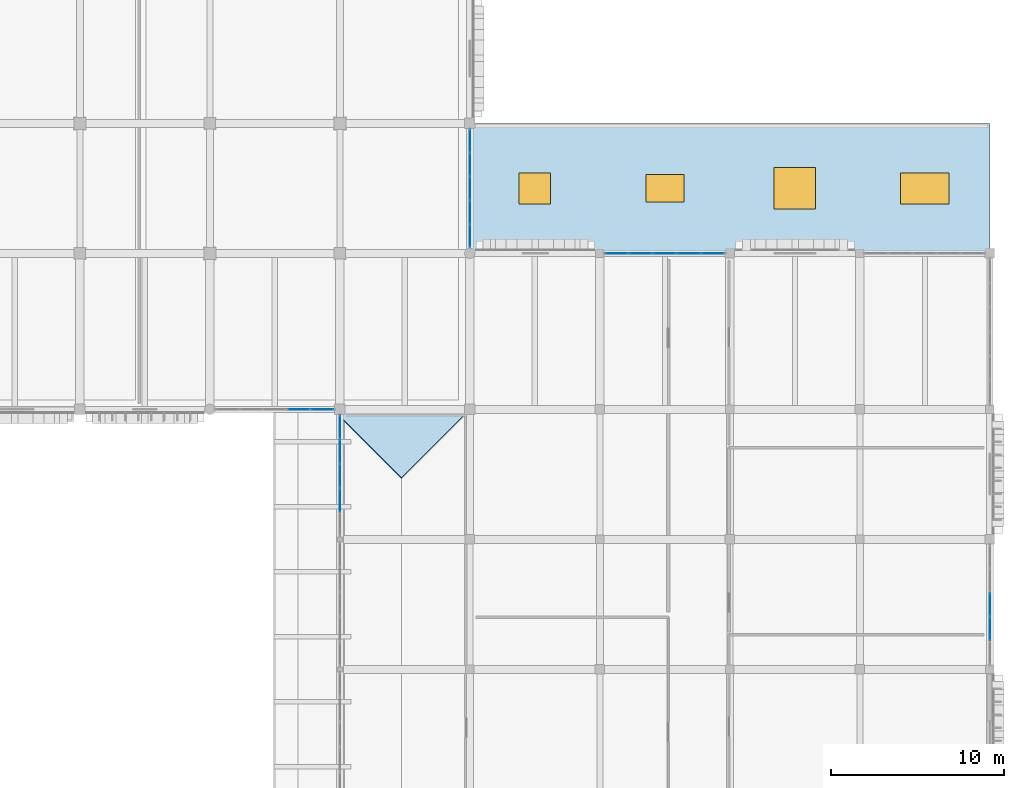
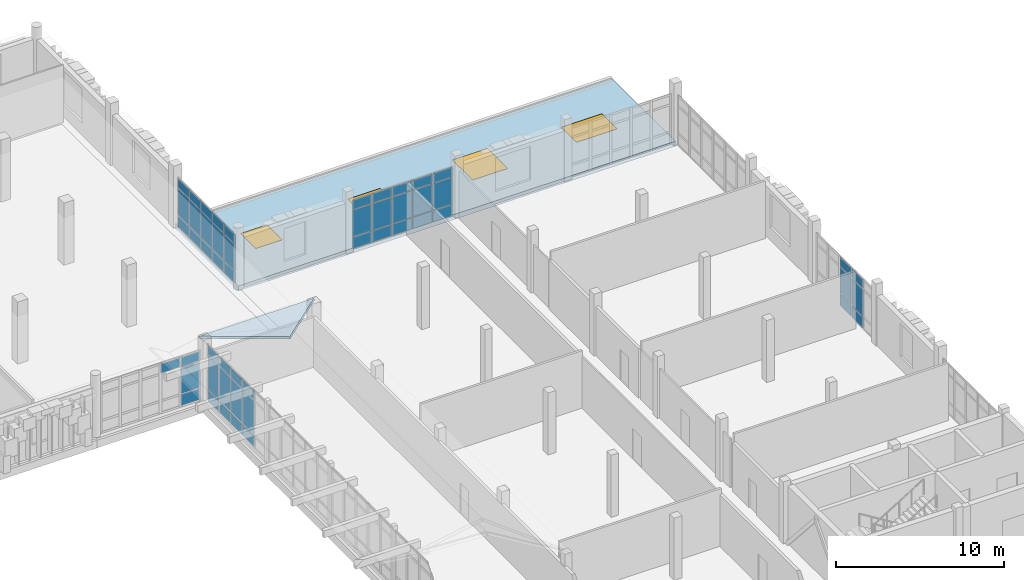
# One storey, part 90 of 128: 52 plates, 4 windows, 2 slabs, 4 openings, 6 elements without a shape of their own.
"""IFC4 building model written with IfcOpenShell, lengths in metres."""

import ifcopenshell
import ifcopenshell.guid

model = None  # the IFC model being written
_history = None  # IfcOwnerHistory: only IFC2X3 demands one
_inside = {}  # id of a spatial element -> (the spatial element, [elements in it])
_under = {}  # id of a project, library or spatial element -> (it, [spatial elements below it])
_declared = {}  # id of a project -> (the project, [libraries it declares])
_typed = {}  # id of a type object -> (the type object, [elements of that type])
_made_of = {}  # id of a material, layer set ... -> (it, [elements and type objects made of it])


def new_model(schema):
    """Start an empty IFC model of exactly this schema.

    Asked for "IFC4X3", IfcOpenShell would pick the latest addendum, in which some entities
    have other attributes; the version numbers below select the first issue.
    IFC2X3 requires an IfcOwnerHistory on every rooted entity: one is made here for all.
    """
    global model, _history
    if schema == "IFC4X3":
        model = ifcopenshell.file(schema_version=(4, 3, 0, 0))
    else:
        model = ifcopenshell.file(schema=schema)
    _inside.clear()
    _under.clear()
    _declared.clear()
    _typed.clear()
    _made_of.clear()
    _history = None
    if model.schema == "IFC2X3":
        org = make("IfcOrganization", Name="unknown")
        user = make(
            "IfcPersonAndOrganization",
            ThePerson=make("IfcPerson", FamilyName="unknown"),
            TheOrganization=org,
        )
        app = make(
            "IfcApplication",
            ApplicationDeveloper=org,
            Version="unknown",
            ApplicationFullName="unknown",
            ApplicationIdentifier="unknown",
        )
        _history = make(
            "IfcOwnerHistory",
            OwningUser=user,
            OwningApplication=app,
            ChangeAction="ADDED",
            CreationDate=0,
        )
    return model


def make(cls, **values):
    """One entity of the class cls with the attributes given. An attribute that is None is left unset."""
    return model.create_entity(
        cls, **{name: value for name, value in values.items() if value is not None}
    )


def rooted(cls, **values):
    """An entity with a GlobalId (a new one), such as an element, a storey or a relation."""
    return make(cls, GlobalId=ifcopenshell.guid.new(), OwnerHistory=_history, **values)


def si_unit(unit_type, name, prefix=None):
    """IfcSIUnit, for example si_unit("LENGTHUNIT", "METRE", prefix="MILLI")."""
    return make("IfcSIUnit", UnitType=unit_type, Prefix=prefix, Name=name)


def assignment(units):
    """IfcUnitAssignment: the units of a project."""
    return None if units is None else make("IfcUnitAssignment", Units=units)


def point(xyz):
    """IfcCartesianPoint."""
    return None if xyz is None else make("IfcCartesianPoint", Coordinates=xyz)


def direction(xyz):
    """IfcDirection."""
    return None if xyz is None else make("IfcDirection", DirectionRatios=xyz)


def frame(location, z_axis=None, x_axis=None):
    """IfcAxis2Placement3D, a coordinate frame: its origin and axes. An axis left out is left unset."""
    return make(
        "IfcAxis2Placement3D",
        Location=point(location),
        Axis=direction(z_axis),
        RefDirection=direction(x_axis),
    )


def frame_2d(location, x_axis=None):
    """IfcAxis2Placement2D, a coordinate frame in the plane: its origin and x axis."""
    return make(
        "IfcAxis2Placement2D", Location=point(location), RefDirection=direction(x_axis)
    )


def origin():
    """The frame at (0, 0, 0) with its axes left unset."""
    return frame((0.0, 0.0, 0.0))


def origin_2d():
    """The frame at (0, 0) in the plane with its x axis left unset."""
    return frame_2d((0.0, 0.0))


def place(relative_to, where):
    """IfcLocalPlacement: puts the frame where relative to a parent placement (None: the world)."""
    return make(
        "IfcLocalPlacement", PlacementRelTo=relative_to, RelativePlacement=where
    )


def context(
    kind, dimensions, precision=None, world=None, true_north=None, identifier=None
):
    """IfcGeometricRepresentationContext, for example the 3D "Model" context."""
    return make(
        "IfcGeometricRepresentationContext",
        ContextIdentifier=identifier,
        ContextType=kind,
        CoordinateSpaceDimension=dimensions,
        Precision=precision,
        WorldCoordinateSystem=world,
        TrueNorth=true_north,
    )


def subcontext(parent, identifier, kind, view, scale=None):
    """IfcGeometricRepresentationSubContext, for example "Body" below "Model"."""
    return make(
        "IfcGeometricRepresentationSubContext",
        ContextIdentifier=identifier,
        ContextType=kind,
        ParentContext=parent,
        TargetScale=scale,
        TargetView=view,
    )


def project(units=None, contexts=None):
    """IfcProject with its units and contexts."""
    return rooted(
        "IfcProject",
        Name="project",
        RepresentationContexts=contexts,
        UnitsInContext=assignment(units),
    )


def spatial(cls, under=None, at=None, **own):
    """A site, building, storey or space (cls), placed at a placement, below another one or the project."""
    s = rooted(cls, ObjectPlacement=at, **own)
    if under is not None:
        _under.setdefault(under.id(), (under, []))[1].append(s)
    return s


def polyline(points):
    """IfcPolyline through the points."""
    return make("IfcPolyline", Points=[point(p) for p in points])


def profile(cls, at=None, kind="AREA", **sizes):
    """A parametric profile (cls). Its sizes go by their IFC names, for example OverallWidth=200.0."""
    return make(cls, ProfileType=kind, Position=at, **sizes)


def rectangle(**sizes):
    """IfcRectangleProfileDef."""
    return profile("IfcRectangleProfileDef", **sizes)


def outline(outer, holes=None, kind="AREA"):
    """IfcArbitraryClosedProfileDef: a profile drawn as a closed curve; with holes, ...WithVoids."""
    if holes is None:
        return make("IfcArbitraryClosedProfileDef", ProfileType=kind, OuterCurve=outer)
    return make(
        "IfcArbitraryProfileDefWithVoids",
        ProfileType=kind,
        OuterCurve=outer,
        InnerCurves=holes,
    )


def extrude(swept, where, along, depth):
    """IfcExtrudedAreaSolid: the profile swept, set in the frame where, extruded along a direction by depth."""
    return make(
        "IfcExtrudedAreaSolid",
        SweptArea=swept,
        Position=where,
        ExtrudedDirection=direction(along),
        Depth=depth,
    )


def shape(context_of_items, identifier, shape_type, items):
    """IfcShapeRepresentation: the items that make up one representation, for example the "Body"."""
    return make(
        "IfcShapeRepresentation",
        ContextOfItems=context_of_items,
        RepresentationIdentifier=identifier,
        RepresentationType=shape_type,
        Items=items,
    )


def material(Name=None, Category=None):
    """IfcMaterial."""
    return make("IfcMaterial", Name=Name, Category=Category)


def layer(
    of_material, thickness, ventilated=None, Name=None, Category=None, Priority=None
):
    """IfcMaterialLayer: one layer of a wall or slab, of a material (None: an air gap)."""
    return make(
        "IfcMaterialLayer",
        Material=of_material,
        LayerThickness=thickness,
        IsVentilated=ventilated,
        Name=Name,
        Category=Category,
        Priority=Priority,
    )


def layer_set(layers, Name=None):
    """IfcMaterialLayerSet."""
    return make("IfcMaterialLayerSet", MaterialLayers=layers, LayerSetName=Name)


def made_of(thing, what):
    """Note that an element or type object is made of a material, layer set ...; save() writes the relation."""
    if what is not None:
        _made_of.setdefault(what.id(), (what, []))[1].append(thing)
    return thing


def type_object(cls, material=None, **own):
    """A type object (cls), such as IfcWallType, which elements share."""
    return made_of(rooted(cls, **own), material)


def element(
    cls,
    number,
    at=None,
    inside=None,
    cuts=None,
    type_object=None,
    material=None,
    context=None,
    identifier="Body",
    shape_type=None,
    held_by="IfcProductDefinitionShape",
    body=None,
    shapes=None,
    **own,
):
    """One element of the class cls, such as IfcWall. Its Tag is "e" and its number.

    at: its placement. inside: the storey or other place that contains it. cuts: it is an
    opening in that element (IfcRelVoidsElement). A single representation is given by context,
    identifier, shape_type and body (its items); several are given by shapes. held_by: the class
    of the entity that holds the representations. save() writes the other relations.
    """
    e = rooted(cls, Tag="e%d" % number, ObjectPlacement=at, **own)
    if body is not None:
        shapes = [shape(context, identifier, shape_type, body)]
    if shapes is not None:
        e.Representation = make(held_by, Representations=shapes)
    if inside is not None:
        _inside.setdefault(inside.id(), (inside, []))[1].append(e)
    if cuts is not None:
        rooted(
            "IfcRelVoidsElement", RelatingBuildingElement=cuts, RelatedOpeningElement=e
        )
    if type_object is not None:
        _typed.setdefault(type_object.id(), (type_object, []))[1].append(e)
    return made_of(e, material)


def fill(opening, filler):
    """IfcRelFillsElement: the door or window that sits in an opening."""
    return rooted(
        "IfcRelFillsElement",
        RelatingOpeningElement=opening,
        RelatedBuildingElement=filler,
    )


def aggregate(whole, parts):
    """IfcRelAggregates: a whole, such as a stair, and the parts it consists of."""
    return rooted("IfcRelAggregates", RelatingObject=whole, RelatedObjects=parts)


def save(model, path):
    """Write the relations noted so far, then the file.

    IfcRelAggregates (storeys below a building ...), IfcRelContainedInSpatialStructure (elements
    in a storey), IfcRelDefinesByType, IfcRelAssociatesMaterial and IfcRelDeclares: one each for
    every whole, place, type object, material and project.
    """
    for whole, parts in _under.values():
        aggregate(whole, parts)
    for where, things in _inside.values():
        rooted(
            "IfcRelContainedInSpatialStructure",
            RelatedElements=things,
            RelatingStructure=where,
        )
    for kind, things in _typed.values():
        rooted("IfcRelDefinesByType", RelatedObjects=things, RelatingType=kind)
    for what, things in _made_of.values():
        rooted("IfcRelAssociatesMaterial", RelatedObjects=things, RelatingMaterial=what)
    for by, libraries in _declared.values():
        rooted("IfcRelDeclares", RelatingContext=by, RelatedDefinitions=libraries)
    model.write(path)


model = new_model("IFC4")

# Units and contexts
model_context = context("Model", 3, precision=1e-05, world=origin(), true_north=direction((0.0, 1.0)))
body_context = subcontext(model_context, "Body", "Model", "MODEL_VIEW")
ifc_project = project(units=[si_unit("LENGTHUNIT", "METRE"), si_unit("AREAUNIT", "SQUARE_METRE"), si_unit("VOLUMEUNIT", "CUBIC_METRE"), si_unit("PLANEANGLEUNIT", "RADIAN"), si_unit("MASSUNIT", "GRAM", prefix="KILO")], contexts=[model_context])

# Site, building, storey
site_placement = place(None, origin())
site = spatial("IfcSite", under=ifc_project, at=site_placement, CompositionType="ELEMENT")
building_placement = place(site_placement, origin())
building = spatial("IfcBuilding", under=site, at=building_placement, Name="Dalvernix Boulevard General Hospital", CompositionType="ELEMENT")
storey_placement = place(building_placement, frame((0.0, 0.0, 4.800048828125)))
storey = spatial("IfcBuildingStorey", under=building, at=storey_placement, Name="L01", CompositionType="ELEMENT", Elevation=4.800048828125)

# Curtain wall, plates
ifc_material_1 = material(Name="Thermally broken aluminium and solar-control glass curtain wall", Category="aluminium")
ifc_layer_1 = layer(ifc_material_1, 0.179931640625)
ifc_layer_set_1 = layer_set([ifc_layer_1], Name="Thermally broken aluminium and solar-control glass curtain wall (CW-CW-B-69x36)")
curtain_wall_type_1 = type_object("IfcCurtainWallType", Name="CW-CW-B-69x36", PredefinedType="USERDEFINED", material=ifc_layer_set_1)
curtain_wall_1_placement = place(storey_placement, origin())
curtain_wall_1 = element("IfcCurtainWall", 1, at=curtain_wall_1_placement, inside=storey, type_object=curtain_wall_type_1, Name="L01 curtain wall CW-B-69x36 17-10", ObjectType="GLAZED FACADE", PredefinedType="USERDEFINED")
ifc_material_2 = material(Name="Double-glazed solar-control low-emissivity glass", Category="glass")
ifc_layer_2 = layer(ifc_material_2, 0.028076171875)
ifc_layer_set_2 = layer_set([ifc_layer_2], Name="Double-glazed solar-control low-emissivity glass (PLT-CW-P2)")
plate_type_1 = type_object("IfcPlateType", Name="PLT-CW-P2", PredefinedType="CURTAIN_PANEL", material=ifc_layer_set_2)
plate_1_placement = place(storey_placement, frame((133.98583984375, 76.5, 0.06494140625), z_axis=(0.0, 0.0, 1.0), x_axis=(-1.0, 0.0, 0.0)))
plate_1 = element("IfcPlate", 2, at=plate_1_placement, type_object=plate_type_1, Name="CW-B-69x36 panel 1.1", PredefinedType="CURTAIN_PANEL", context=body_context, shape_type="SweptSolid", body=[
    extrude(rectangle(XDim=1.278564453125, YDim=0.028076171875, at=origin_2d()), origin(), (0.0, 0.0, 1.0), 0.802490234375),
])
plate_2_placement = place(storey_placement, frame((133.98583984375, 76.5, 0.932373046875), z_axis=(0.0, 0.0, 1.0), x_axis=(-1.0, 0.0, 0.0)))
plate_2 = element("IfcPlate", 3, at=plate_2_placement, type_object=plate_type_1, Name="CW-B-69x36 panel 1.2", PredefinedType="CURTAIN_PANEL", context=body_context, shape_type="SweptSolid", body=[
    extrude(rectangle(XDim=1.278564453125, YDim=0.028076171875, at=origin_2d()), origin(), (0.0, 0.0, 1.0), 1.9150390625),
])
plate_3_placement = place(storey_placement, frame((133.98583984375, 76.5, 2.91259765625), z_axis=(0.0, 0.0, 1.0), x_axis=(-1.0, 0.0, 0.0)))
plate_3 = element("IfcPlate", 4, at=plate_3_placement, type_object=plate_type_1, Name="CW-B-69x36 panel 1.3", PredefinedType="CURTAIN_PANEL", context=body_context, shape_type="SweptSolid", body=[
    extrude(rectangle(XDim=1.278564453125, YDim=0.028076171875, at=origin_2d()), origin(), (0.0, 0.0, 1.0), 0.652587890625),
])
plate_4_placement = place(storey_placement, frame((132.6259765625, 76.5, 2.91259765625), z_axis=(0.0, 0.0, 1.0), x_axis=(-1.0, 0.0, 0.0)))
plate_4 = element("IfcPlate", 5, at=plate_4_placement, type_object=plate_type_1, Name="CW-B-69x36 panel 2.3", PredefinedType="CURTAIN_PANEL", context=body_context, shape_type="SweptSolid", body=[
    extrude(rectangle(XDim=1.31103515625, YDim=0.028076171875, at=origin_2d()), origin(), (0.0, 0.0, 1.0), 0.652587890625),
])
aggregate(curtain_wall_1, [plate_1, plate_2, plate_3, plate_4])

ifc_layer_3 = layer(ifc_material_1, 0.179931640625)
ifc_layer_set_3 = layer_set([ifc_layer_3], Name="Thermally broken aluminium and solar-control glass curtain wall (CW-CW-B-70x42)")
curtain_wall_type_2 = type_object("IfcCurtainWallType", Name="CW-CW-B-70x42", PredefinedType="USERDEFINED", material=ifc_layer_set_3)
curtain_wall_2_placement = place(storey_placement, origin())
curtain_wall_2 = element("IfcCurtainWall", 6, at=curtain_wall_2_placement, inside=storey, type_object=curtain_wall_type_2, Name="L01 curtain wall CW-B-70x42 18-9", ObjectType="GLAZED FACADE", PredefinedType="USERDEFINED")
plate_5_placement = place(storey_placement, frame((135.0, 71.261962890625, 0.06494140625), z_axis=(0.0, 0.0, 1.0), x_axis=(0.0, 1.0, 0.0)))
plate_5 = element("IfcPlate", 7, at=plate_5_placement, type_object=plate_type_1, Name="CW-B-70x42 panel 2.1", PredefinedType="CURTAIN_PANEL", context=body_context, shape_type="SweptSolid", body=[
    extrude(rectangle(XDim=1.343017578125, YDim=0.028076171875, at=origin_2d()), origin(), (0.0, 0.0, 1.0), 0.802490234375),
])
plate_6_placement = place(storey_placement, frame((135.0, 71.261962890625, 0.9326171875), z_axis=(0.0, 0.0, 1.0), x_axis=(0.0, 1.0, 0.0)))
plate_6 = element("IfcPlate", 8, at=plate_6_placement, type_object=plate_type_1, Name="CW-B-70x42 panel 2.2", PredefinedType="CURTAIN_PANEL", context=body_context, shape_type="SweptSolid", body=[
    extrude(rectangle(XDim=1.343017578125, YDim=0.028076171875, at=origin_2d()), origin(), (0.0, 0.0, 1.0), 2.465087890625),
])
plate_7_placement = place(storey_placement, frame((135.0, 71.261962890625, 3.46240234375), z_axis=(0.0, 0.0, 1.0), x_axis=(0.0, 1.0, 0.0)))
plate_7 = element("IfcPlate", 9, at=plate_7_placement, type_object=plate_type_1, Name="CW-B-70x42 panel 2.3", PredefinedType="CURTAIN_PANEL", context=body_context, shape_type="SweptSolid", body=[
    extrude(rectangle(XDim=1.343017578125, YDim=0.028076171875, at=origin_2d()), origin(), (0.0, 0.0, 1.0), 0.652587890625),
])
plate_8_placement = place(storey_placement, frame((135.0, 72.669921875, 0.06494140625), z_axis=(0.0, 0.0, 1.0), x_axis=(0.0, 1.0, 0.0)))
plate_8 = element("IfcPlate", 10, at=plate_8_placement, type_object=plate_type_1, Name="CW-B-70x42 panel 3.1", PredefinedType="CURTAIN_PANEL", context=body_context, shape_type="SweptSolid", body=[
    extrude(rectangle(XDim=1.343017578125, YDim=0.028076171875, at=origin_2d()), origin(), (0.0, 0.0, 1.0), 0.802490234375),
])
plate_9_placement = place(storey_placement, frame((135.0, 72.669921875, 0.9326171875), z_axis=(0.0, 0.0, 1.0), x_axis=(0.0, 1.0, 0.0)))
plate_9 = element("IfcPlate", 11, at=plate_9_placement, type_object=plate_type_1, Name="CW-B-70x42 panel 3.2", PredefinedType="CURTAIN_PANEL", context=body_context, shape_type="SweptSolid", body=[
    extrude(rectangle(XDim=1.343017578125, YDim=0.028076171875, at=origin_2d()), origin(), (0.0, 0.0, 1.0), 2.465087890625),
])
plate_10_placement = place(storey_placement, frame((135.0, 72.669921875, 3.46240234375), z_axis=(0.0, 0.0, 1.0), x_axis=(0.0, 1.0, 0.0)))
plate_10 = element("IfcPlate", 12, at=plate_10_placement, type_object=plate_type_1, Name="CW-B-70x42 panel 3.3", PredefinedType="CURTAIN_PANEL", context=body_context, shape_type="SweptSolid", body=[
    extrude(rectangle(XDim=1.343017578125, YDim=0.028076171875, at=origin_2d()), origin(), (0.0, 0.0, 1.0), 0.652587890625),
])
plate_11_placement = place(storey_placement, frame((135.0, 74.077880859375, 0.06494140625), z_axis=(0.0, 0.0, 1.0), x_axis=(0.0, 1.0, 0.0)))
plate_11 = element("IfcPlate", 13, at=plate_11_placement, type_object=plate_type_1, Name="CW-B-70x42 panel 4.1", PredefinedType="CURTAIN_PANEL", context=body_context, shape_type="SweptSolid", body=[
    extrude(rectangle(XDim=1.343017578125, YDim=0.028076171875, at=origin_2d()), origin(), (0.0, 0.0, 1.0), 0.802490234375),
])
plate_12_placement = place(storey_placement, frame((135.0, 74.077880859375, 0.9326171875), z_axis=(0.0, 0.0, 1.0), x_axis=(0.0, 1.0, 0.0)))
plate_12 = element("IfcPlate", 14, at=plate_12_placement, type_object=plate_type_1, Name="CW-B-70x42 panel 4.2", PredefinedType="CURTAIN_PANEL", context=body_context, shape_type="SweptSolid", body=[
    extrude(rectangle(XDim=1.343017578125, YDim=0.028076171875, at=origin_2d()), origin(), (0.0, 0.0, 1.0), 2.465087890625),
])
plate_13_placement = place(storey_placement, frame((135.0, 74.077880859375, 3.46240234375), z_axis=(0.0, 0.0, 1.0), x_axis=(0.0, 1.0, 0.0)))
plate_13 = element("IfcPlate", 15, at=plate_13_placement, type_object=plate_type_1, Name="CW-B-70x42 panel 4.3", PredefinedType="CURTAIN_PANEL", context=body_context, shape_type="SweptSolid", body=[
    extrude(rectangle(XDim=1.343017578125, YDim=0.028076171875, at=origin_2d()), origin(), (0.0, 0.0, 1.0), 0.652587890625),
])
plate_14_placement = place(storey_placement, frame((135.0, 75.4697265625, 0.06494140625), z_axis=(0.0, 0.0, 1.0), x_axis=(0.0, 1.0, 0.0)))
plate_14 = element("IfcPlate", 16, at=plate_14_placement, type_object=plate_type_1, Name="CW-B-70x42 panel 5.1", PredefinedType="CURTAIN_PANEL", context=body_context, shape_type="SweptSolid", body=[
    extrude(rectangle(XDim=1.310546875, YDim=0.028076171875, at=origin_2d()), origin(), (0.0, 0.0, 1.0), 0.802490234375),
])
plate_15_placement = place(storey_placement, frame((135.0, 75.4697265625, 0.9326171875), z_axis=(0.0, 0.0, 1.0), x_axis=(0.0, 1.0, 0.0)))
plate_15 = element("IfcPlate", 17, at=plate_15_placement, type_object=plate_type_1, Name="CW-B-70x42 panel 5.2", PredefinedType="CURTAIN_PANEL", context=body_context, shape_type="SweptSolid", body=[
    extrude(rectangle(XDim=1.310546875, YDim=0.028076171875, at=origin_2d()), origin(), (0.0, 0.0, 1.0), 2.465087890625),
])
plate_16_placement = place(storey_placement, frame((135.0, 75.4697265625, 3.46240234375), z_axis=(0.0, 0.0, 1.0), x_axis=(0.0, 1.0, 0.0)))
plate_16 = element("IfcPlate", 18, at=plate_16_placement, type_object=plate_type_1, Name="CW-B-70x42 panel 5.3", PredefinedType="CURTAIN_PANEL", context=body_context, shape_type="SweptSolid", body=[
    extrude(rectangle(XDim=1.310546875, YDim=0.028076171875, at=origin_2d()), origin(), (0.0, 0.0, 1.0), 0.652587890625),
])
aggregate(curtain_wall_2, [plate_5, plate_6, plate_7, plate_8, plate_9, plate_10, plate_11, plate_12, plate_13, plate_14, plate_15, plate_16])

curtain_wall_3_placement = place(storey_placement, origin())
curtain_wall_3 = element("IfcCurtainWall", 19, at=curtain_wall_3_placement, inside=storey, type_object=curtain_wall_type_1, Name="L01 curtain wall CW-B-69x36 19-11", ObjectType="GLAZED FACADE", PredefinedType="USERDEFINED")
plate_17_placement = place(storey_placement, frame((142.5, 91.98583984375, 0.06494140625), z_axis=(0.0, 0.0, 1.0), x_axis=(0.0, -1.0, 0.0)))
plate_17 = element("IfcPlate", 20, at=plate_17_placement, type_object=plate_type_1, Name="CW-B-69x36 panel 1.1", PredefinedType="CURTAIN_PANEL", context=body_context, shape_type="SweptSolid", body=[
    extrude(rectangle(XDim=1.278564453125, YDim=0.028076171875, at=origin_2d()), origin(), (0.0, 0.0, 1.0), 0.802490234375),
])
plate_18_placement = place(storey_placement, frame((142.5, 91.98583984375, 0.932373046875), z_axis=(0.0, 0.0, 1.0), x_axis=(0.0, -1.0, 0.0)))
plate_18 = element("IfcPlate", 21, at=plate_18_placement, type_object=plate_type_1, Name="CW-B-69x36 panel 1.2", PredefinedType="CURTAIN_PANEL", context=body_context, shape_type="SweptSolid", body=[
    extrude(rectangle(XDim=1.278564453125, YDim=0.028076171875, at=origin_2d()), origin(), (0.0, 0.0, 1.0), 1.9150390625),
])
plate_19_placement = place(storey_placement, frame((142.5, 91.98583984375, 2.91259765625), z_axis=(0.0, 0.0, 1.0), x_axis=(0.0, -1.0, 0.0)))
plate_19 = element("IfcPlate", 22, at=plate_19_placement, type_object=plate_type_1, Name="CW-B-69x36 panel 1.3", PredefinedType="CURTAIN_PANEL", context=body_context, shape_type="SweptSolid", body=[
    extrude(rectangle(XDim=1.278564453125, YDim=0.028076171875, at=origin_2d()), origin(), (0.0, 0.0, 1.0), 0.652587890625),
])
plate_20_placement = place(storey_placement, frame((142.5, 90.6259765625, 0.06494140625), z_axis=(0.0, 0.0, 1.0), x_axis=(0.0, -1.0, 0.0)))
plate_20 = element("IfcPlate", 23, at=plate_20_placement, type_object=plate_type_1, Name="CW-B-69x36 panel 2.1", PredefinedType="CURTAIN_PANEL", context=body_context, shape_type="SweptSolid", body=[
    extrude(rectangle(XDim=1.31103515625, YDim=0.028076171875, at=origin_2d()), origin(), (0.0, 0.0, 1.0), 0.802490234375),
])
plate_21_placement = place(storey_placement, frame((142.5, 90.6259765625, 0.932373046875), z_axis=(0.0, 0.0, 1.0), x_axis=(0.0, -1.0, 0.0)))
plate_21 = element("IfcPlate", 24, at=plate_21_placement, type_object=plate_type_1, Name="CW-B-69x36 panel 2.2", PredefinedType="CURTAIN_PANEL", context=body_context, shape_type="SweptSolid", body=[
    extrude(rectangle(XDim=1.31103515625, YDim=0.028076171875, at=origin_2d()), origin(), (0.0, 0.0, 1.0), 1.9150390625),
])
plate_22_placement = place(storey_placement, frame((142.5, 90.6259765625, 2.91259765625), z_axis=(0.0, 0.0, 1.0), x_axis=(0.0, -1.0, 0.0)))
plate_22 = element("IfcPlate", 25, at=plate_22_placement, type_object=plate_type_1, Name="CW-B-69x36 panel 2.3", PredefinedType="CURTAIN_PANEL", context=body_context, shape_type="SweptSolid", body=[
    extrude(rectangle(XDim=1.31103515625, YDim=0.028076171875, at=origin_2d()), origin(), (0.0, 0.0, 1.0), 0.652587890625),
])
plate_23_placement = place(storey_placement, frame((142.5, 89.25, 0.06494140625), z_axis=(0.0, 0.0, 1.0), x_axis=(0.0, -1.0, 0.0)))
plate_23 = element("IfcPlate", 26, at=plate_23_placement, type_object=plate_type_1, Name="CW-B-69x36 panel 3.1", PredefinedType="CURTAIN_PANEL", context=body_context, shape_type="SweptSolid", body=[
    extrude(rectangle(XDim=1.31103515625, YDim=0.028076171875, at=origin_2d()), origin(), (0.0, 0.0, 1.0), 0.802490234375),
])
plate_24_placement = place(storey_placement, frame((142.5, 89.25, 0.932373046875), z_axis=(0.0, 0.0, 1.0), x_axis=(0.0, -1.0, 0.0)))
plate_24 = element("IfcPlate", 27, at=plate_24_placement, type_object=plate_type_1, Name="CW-B-69x36 panel 3.2", PredefinedType="CURTAIN_PANEL", context=body_context, shape_type="SweptSolid", body=[
    extrude(rectangle(XDim=1.31103515625, YDim=0.028076171875, at=origin_2d()), origin(), (0.0, 0.0, 1.0), 1.9150390625),
])
plate_25_placement = place(storey_placement, frame((142.5, 89.25, 2.91259765625), z_axis=(0.0, 0.0, 1.0), x_axis=(0.0, -1.0, 0.0)))
plate_25 = element("IfcPlate", 28, at=plate_25_placement, type_object=plate_type_1, Name="CW-B-69x36 panel 3.3", PredefinedType="CURTAIN_PANEL", context=body_context, shape_type="SweptSolid", body=[
    extrude(rectangle(XDim=1.31103515625, YDim=0.028076171875, at=origin_2d()), origin(), (0.0, 0.0, 1.0), 0.652587890625),
])
plate_26_placement = place(storey_placement, frame((142.5, 87.8740234375, 0.06494140625), z_axis=(0.0, 0.0, 1.0), x_axis=(0.0, -1.0, 0.0)))
plate_26 = element("IfcPlate", 29, at=plate_26_placement, type_object=plate_type_1, Name="CW-B-69x36 panel 4.1", PredefinedType="CURTAIN_PANEL", context=body_context, shape_type="SweptSolid", body=[
    extrude(rectangle(XDim=1.31103515625, YDim=0.028076171875, at=origin_2d()), origin(), (0.0, 0.0, 1.0), 0.802490234375),
])
plate_27_placement = place(storey_placement, frame((142.5, 87.8740234375, 0.932373046875), z_axis=(0.0, 0.0, 1.0), x_axis=(0.0, -1.0, 0.0)))
plate_27 = element("IfcPlate", 30, at=plate_27_placement, type_object=plate_type_1, Name="CW-B-69x36 panel 4.2", PredefinedType="CURTAIN_PANEL", context=body_context, shape_type="SweptSolid", body=[
    extrude(rectangle(XDim=1.31103515625, YDim=0.028076171875, at=origin_2d()), origin(), (0.0, 0.0, 1.0), 1.9150390625),
])
plate_28_placement = place(storey_placement, frame((142.5, 87.8740234375, 2.91259765625), z_axis=(0.0, 0.0, 1.0), x_axis=(0.0, -1.0, 0.0)))
plate_28 = element("IfcPlate", 31, at=plate_28_placement, type_object=plate_type_1, Name="CW-B-69x36 panel 4.3", PredefinedType="CURTAIN_PANEL", context=body_context, shape_type="SweptSolid", body=[
    extrude(rectangle(XDim=1.31103515625, YDim=0.028076171875, at=origin_2d()), origin(), (0.0, 0.0, 1.0), 0.652587890625),
])
plate_29_placement = place(storey_placement, frame((142.5, 86.51416015625, 0.06494140625), z_axis=(0.0, 0.0, 1.0), x_axis=(0.0, -1.0, 0.0)))
plate_29 = element("IfcPlate", 32, at=plate_29_placement, type_object=plate_type_1, Name="CW-B-69x36 panel 5.1", PredefinedType="CURTAIN_PANEL", context=body_context, shape_type="SweptSolid", body=[
    extrude(rectangle(XDim=1.278564453125, YDim=0.028076171875, at=origin_2d()), origin(), (0.0, 0.0, 1.0), 0.802490234375),
])
plate_30_placement = place(storey_placement, frame((142.5, 86.51416015625, 0.932373046875), z_axis=(0.0, 0.0, 1.0), x_axis=(0.0, -1.0, 0.0)))
plate_30 = element("IfcPlate", 33, at=plate_30_placement, type_object=plate_type_1, Name="CW-B-69x36 panel 5.2", PredefinedType="CURTAIN_PANEL", context=body_context, shape_type="SweptSolid", body=[
    extrude(rectangle(XDim=1.278564453125, YDim=0.028076171875, at=origin_2d()), origin(), (0.0, 0.0, 1.0), 1.9150390625),
])
plate_31_placement = place(storey_placement, frame((142.5, 86.51416015625, 2.91259765625), z_axis=(0.0, 0.0, 1.0), x_axis=(0.0, -1.0, 0.0)))
plate_31 = element("IfcPlate", 34, at=plate_31_placement, type_object=plate_type_1, Name="CW-B-69x36 panel 5.3", PredefinedType="CURTAIN_PANEL", context=body_context, shape_type="SweptSolid", body=[
    extrude(rectangle(XDim=1.278564453125, YDim=0.028076171875, at=origin_2d()), origin(), (0.0, 0.0, 1.0), 0.652587890625),
])
aggregate(curtain_wall_3, [plate_17, plate_18, plate_19, plate_20, plate_21, plate_22, plate_23, plate_24, plate_25, plate_26, plate_27, plate_28, plate_29, plate_30, plate_31])

ifc_layer_4 = layer(ifc_material_1, 0.199951171875)
ifc_layer_set_4 = layer_set([ifc_layer_4], Name="Thermally broken aluminium and solar-control glass curtain wall (CW-CW-C-70x36)")
curtain_wall_type_3 = type_object("IfcCurtainWallType", Name="CW-CW-C-70x36", PredefinedType="USERDEFINED", material=ifc_layer_set_4)
curtain_wall_4_placement = place(storey_placement, origin())
curtain_wall_4 = element("IfcCurtainWall", 35, at=curtain_wall_4_placement, inside=storey, type_object=curtain_wall_type_3, Name="L01 curtain wall CW-C-70x36 20-11", ObjectType="GLAZED FACADE", PredefinedType="USERDEFINED")
ifc_layer_5 = layer(ifc_material_2, 0.035888671875)
ifc_layer_set_5 = layer_set([ifc_layer_5], Name="Double-glazed solar-control low-emissivity glass (PLT-CW-P3)")
plate_type_2 = type_object("IfcPlateType", Name="PLT-CW-P3", PredefinedType="CURTAIN_PANEL", material=ifc_layer_set_5)
plate_32_placement = place(storey_placement, frame((150.972900390625, 85.5, 0.070068359375), z_axis=(0.0, 0.0, 1.0), x_axis=(1.0, 0.0, 0.0)))
plate_32 = element("IfcPlate", 36, at=plate_32_placement, type_object=plate_type_2, Name="CW-C-70x36 panel 1.1", PredefinedType="CURTAIN_PANEL", context=body_context, shape_type="SweptSolid", body=[
    extrude(rectangle(XDim=1.285888671875, YDim=0.035888671875, at=origin_2d()), origin(), (0.0, 0.0, 1.0), 0.794921875),
])
plate_33_placement = place(storey_placement, frame((150.972900390625, 85.5, 0.93505859375), z_axis=(0.0, 0.0, 1.0), x_axis=(1.0, 0.0, 0.0)))
plate_33 = element("IfcPlate", 37, at=plate_33_placement, type_object=plate_type_2, Name="CW-C-70x36 panel 1.2", PredefinedType="CURTAIN_PANEL", context=body_context, shape_type="SweptSolid", body=[
    extrude(rectangle(XDim=1.285888671875, YDim=0.035888671875, at=origin_2d()), origin(), (0.0, 0.0, 1.0), 1.909912109375),
])
plate_34_placement = place(storey_placement, frame((150.972900390625, 85.5, 2.9150390625), z_axis=(0.0, 0.0, 1.0), x_axis=(1.0, 0.0, 0.0)))
plate_34 = element("IfcPlate", 38, at=plate_34_placement, type_object=plate_type_2, Name="CW-C-70x36 panel 1.3", PredefinedType="CURTAIN_PANEL", context=body_context, shape_type="SweptSolid", body=[
    extrude(rectangle(XDim=1.285888671875, YDim=0.035888671875, at=origin_2d()), origin(), (0.0, 0.0, 1.0), 0.64501953125),
])
plate_35_placement = place(storey_placement, frame((152.346435546875, 85.5, 0.070068359375), z_axis=(0.0, 0.0, 1.0), x_axis=(1.0, 0.0, 0.0)))
plate_35 = element("IfcPlate", 39, at=plate_35_placement, type_object=plate_type_2, Name="CW-C-70x36 panel 2.1", PredefinedType="CURTAIN_PANEL", context=body_context, shape_type="SweptSolid", body=[
    extrude(rectangle(XDim=1.321044921875, YDim=0.035888671875, at=origin_2d()), origin(), (0.0, 0.0, 1.0), 0.794921875),
])
plate_36_placement = place(storey_placement, frame((152.346435546875, 85.5, 0.93505859375), z_axis=(0.0, 0.0, 1.0), x_axis=(1.0, 0.0, 0.0)))
plate_36 = element("IfcPlate", 40, at=plate_36_placement, type_object=plate_type_2, Name="CW-C-70x36 panel 2.2", PredefinedType="CURTAIN_PANEL", context=body_context, shape_type="SweptSolid", body=[
    extrude(rectangle(XDim=1.321044921875, YDim=0.035888671875, at=origin_2d()), origin(), (0.0, 0.0, 1.0), 1.909912109375),
])
plate_37_placement = place(storey_placement, frame((152.346435546875, 85.5, 2.9150390625), z_axis=(0.0, 0.0, 1.0), x_axis=(1.0, 0.0, 0.0)))
plate_37 = element("IfcPlate", 41, at=plate_37_placement, type_object=plate_type_2, Name="CW-C-70x36 panel 2.3", PredefinedType="CURTAIN_PANEL", context=body_context, shape_type="SweptSolid", body=[
    extrude(rectangle(XDim=1.321044921875, YDim=0.035888671875, at=origin_2d()), origin(), (0.0, 0.0, 1.0), 0.64501953125),
])
plate_38_placement = place(storey_placement, frame((153.737548828125, 85.5, 0.070068359375), z_axis=(0.0, 0.0, 1.0), x_axis=(1.0, 0.0, 0.0)))
plate_38 = element("IfcPlate", 42, at=plate_38_placement, type_object=plate_type_2, Name="CW-C-70x36 panel 3.1", PredefinedType="CURTAIN_PANEL", context=body_context, shape_type="SweptSolid", body=[
    extrude(rectangle(XDim=1.321044921875, YDim=0.035888671875, at=origin_2d()), origin(), (0.0, 0.0, 1.0), 0.794921875),
])
plate_39_placement = place(storey_placement, frame((153.737548828125, 85.5, 0.93505859375), z_axis=(0.0, 0.0, 1.0), x_axis=(1.0, 0.0, 0.0)))
plate_39 = element("IfcPlate", 43, at=plate_39_placement, type_object=plate_type_2, Name="CW-C-70x36 panel 3.2", PredefinedType="CURTAIN_PANEL", context=body_context, shape_type="SweptSolid", body=[
    extrude(rectangle(XDim=1.321044921875, YDim=0.035888671875, at=origin_2d()), origin(), (0.0, 0.0, 1.0), 1.909912109375),
])
plate_40_placement = place(storey_placement, frame((153.737548828125, 85.5, 2.9150390625), z_axis=(0.0, 0.0, 1.0), x_axis=(1.0, 0.0, 0.0)))
plate_40 = element("IfcPlate", 44, at=plate_40_placement, type_object=plate_type_2, Name="CW-C-70x36 panel 3.3", PredefinedType="CURTAIN_PANEL", context=body_context, shape_type="SweptSolid", body=[
    extrude(rectangle(XDim=1.321044921875, YDim=0.035888671875, at=origin_2d()), origin(), (0.0, 0.0, 1.0), 0.64501953125),
])
plate_41_placement = place(storey_placement, frame((155.12841796875, 85.5, 0.070068359375), z_axis=(0.0, 0.0, 1.0), x_axis=(1.0, 0.0, 0.0)))
plate_41 = element("IfcPlate", 45, at=plate_41_placement, type_object=plate_type_2, Name="CW-C-70x36 panel 4.1", PredefinedType="CURTAIN_PANEL", context=body_context, shape_type="SweptSolid", body=[
    extrude(rectangle(XDim=1.321044921875, YDim=0.035888671875, at=origin_2d()), origin(), (0.0, 0.0, 1.0), 0.794921875),
])
plate_42_placement = place(storey_placement, frame((155.12841796875, 85.5, 0.93505859375), z_axis=(0.0, 0.0, 1.0), x_axis=(1.0, 0.0, 0.0)))
plate_42 = element("IfcPlate", 46, at=plate_42_placement, type_object=plate_type_2, Name="CW-C-70x36 panel 4.2", PredefinedType="CURTAIN_PANEL", context=body_context, shape_type="SweptSolid", body=[
    extrude(rectangle(XDim=1.321044921875, YDim=0.035888671875, at=origin_2d()), origin(), (0.0, 0.0, 1.0), 1.909912109375),
])
plate_43_placement = place(storey_placement, frame((155.12841796875, 85.5, 2.9150390625), z_axis=(0.0, 0.0, 1.0), x_axis=(1.0, 0.0, 0.0)))
plate_43 = element("IfcPlate", 47, at=plate_43_placement, type_object=plate_type_2, Name="CW-C-70x36 panel 4.3", PredefinedType="CURTAIN_PANEL", context=body_context, shape_type="SweptSolid", body=[
    extrude(rectangle(XDim=1.321044921875, YDim=0.035888671875, at=origin_2d()), origin(), (0.0, 0.0, 1.0), 0.64501953125),
])
plate_44_placement = place(storey_placement, frame((156.501953125, 85.5, 0.070068359375), z_axis=(0.0, 0.0, 1.0), x_axis=(1.0, 0.0, 0.0)))
plate_44 = element("IfcPlate", 48, at=plate_44_placement, type_object=plate_type_2, Name="CW-C-70x36 panel 5.1", PredefinedType="CURTAIN_PANEL", context=body_context, shape_type="SweptSolid", body=[
    extrude(rectangle(XDim=1.285888671875, YDim=0.035888671875, at=origin_2d()), origin(), (0.0, 0.0, 1.0), 0.794921875),
])
plate_45_placement = place(storey_placement, frame((156.501953125, 85.5, 0.93505859375), z_axis=(0.0, 0.0, 1.0), x_axis=(1.0, 0.0, 0.0)))
plate_45 = element("IfcPlate", 49, at=plate_45_placement, type_object=plate_type_2, Name="CW-C-70x36 panel 5.2", PredefinedType="CURTAIN_PANEL", context=body_context, shape_type="SweptSolid", body=[
    extrude(rectangle(XDim=1.285888671875, YDim=0.035888671875, at=origin_2d()), origin(), (0.0, 0.0, 1.0), 1.909912109375),
])
plate_46_placement = place(storey_placement, frame((156.501953125, 85.5, 2.9150390625), z_axis=(0.0, 0.0, 1.0), x_axis=(1.0, 0.0, 0.0)))
plate_46 = element("IfcPlate", 50, at=plate_46_placement, type_object=plate_type_2, Name="CW-C-70x36 panel 5.3", PredefinedType="CURTAIN_PANEL", context=body_context, shape_type="SweptSolid", body=[
    extrude(rectangle(XDim=1.285888671875, YDim=0.035888671875, at=origin_2d()), origin(), (0.0, 0.0, 1.0), 0.64501953125),
])
aggregate(curtain_wall_4, [plate_32, plate_33, plate_34, plate_35, plate_36, plate_37, plate_38, plate_39, plate_40, plate_41, plate_42, plate_43, plate_44, plate_45, plate_46])

curtain_wall_5_placement = place(storey_placement, origin())
curtain_wall_5 = element("IfcCurtainWall", 51, at=curtain_wall_5_placement, inside=storey, type_object=curtain_wall_type_3, Name="L01 curtain wall CW-C-70x36 23-8", ObjectType="GLAZED FACADE", PredefinedType="USERDEFINED")
plate_47_placement = place(storey_placement, frame((172.5, 65.237548828125, 0.070068359375), z_axis=(0.0, 0.0, 1.0), x_axis=(0.0, -1.0, 0.0)))
plate_47 = element("IfcPlate", 52, at=plate_47_placement, type_object=plate_type_2, Name="CW-C-70x36 panel 3.1", PredefinedType="CURTAIN_PANEL", context=body_context, shape_type="SweptSolid", body=[
    extrude(rectangle(XDim=1.321044921875, YDim=0.035888671875, at=origin_2d()), origin(), (0.0, 0.0, 1.0), 0.794921875),
])
plate_48_placement = place(storey_placement, frame((172.5, 65.237548828125, 0.93505859375), z_axis=(0.0, 0.0, 1.0), x_axis=(0.0, -1.0, 0.0)))
plate_48 = element("IfcPlate", 53, at=plate_48_placement, type_object=plate_type_2, Name="CW-C-70x36 panel 3.2", PredefinedType="CURTAIN_PANEL", context=body_context, shape_type="SweptSolid", body=[
    extrude(rectangle(XDim=1.321044921875, YDim=0.035888671875, at=origin_2d()), origin(), (0.0, 0.0, 1.0), 1.909912109375),
])
plate_49_placement = place(storey_placement, frame((172.5, 65.237548828125, 2.9150390625), z_axis=(0.0, 0.0, 1.0), x_axis=(0.0, -1.0, 0.0)))
plate_49 = element("IfcPlate", 54, at=plate_49_placement, type_object=plate_type_2, Name="CW-C-70x36 panel 3.3", PredefinedType="CURTAIN_PANEL", context=body_context, shape_type="SweptSolid", body=[
    extrude(rectangle(XDim=1.321044921875, YDim=0.035888671875, at=origin_2d()), origin(), (0.0, 0.0, 1.0), 0.64501953125),
])
plate_50_placement = place(storey_placement, frame((172.5, 63.846435546875, 0.070068359375), z_axis=(0.0, 0.0, 1.0), x_axis=(0.0, -1.0, 0.0)))
plate_50 = element("IfcPlate", 55, at=plate_50_placement, type_object=plate_type_2, Name="CW-C-70x36 panel 4.1", PredefinedType="CURTAIN_PANEL", context=body_context, shape_type="SweptSolid", body=[
    extrude(rectangle(XDim=1.321044921875, YDim=0.035888671875, at=origin_2d()), origin(), (0.0, 0.0, 1.0), 0.794921875),
])
plate_51_placement = place(storey_placement, frame((172.5, 63.846435546875, 0.93505859375), z_axis=(0.0, 0.0, 1.0), x_axis=(0.0, -1.0, 0.0)))
plate_51 = element("IfcPlate", 56, at=plate_51_placement, type_object=plate_type_2, Name="CW-C-70x36 panel 4.2", PredefinedType="CURTAIN_PANEL", context=body_context, shape_type="SweptSolid", body=[
    extrude(rectangle(XDim=1.321044921875, YDim=0.035888671875, at=origin_2d()), origin(), (0.0, 0.0, 1.0), 1.909912109375),
])
plate_52_placement = place(storey_placement, frame((172.5, 63.846435546875, 2.9150390625), z_axis=(0.0, 0.0, 1.0), x_axis=(0.0, -1.0, 0.0)))
plate_52 = element("IfcPlate", 57, at=plate_52_placement, type_object=plate_type_2, Name="CW-C-70x36 panel 4.3", PredefinedType="CURTAIN_PANEL", context=body_context, shape_type="SweptSolid", body=[
    extrude(rectangle(XDim=1.321044921875, YDim=0.035888671875, at=origin_2d()), origin(), (0.0, 0.0, 1.0), 0.64501953125),
])
aggregate(curtain_wall_5, [plate_47, plate_48, plate_49, plate_50, plate_51, plate_52])

# Slab, openings, windows
ifc_material_3 = material(Name="Concrete C35/45", Category="concrete")
ifc_layer_6 = layer(ifc_material_3, 0.219970703125)
ifc_layer_set_6 = layer_set([ifc_layer_6], Name="Concrete C35/45 (SLB-RS-01)")
slab_type_1 = type_object("IfcSlabType", Name="SLB-RS-01", PredefinedType="ROOF", material=ifc_layer_set_6)
slab_1_placement = place(storey_placement, frame((0.0, 0.0, -0.280029296875)))
slab_1 = element("IfcSlab", 58, at=slab_1_placement, inside=storey, type_object=slab_type_1, Name="L01 clinical skylight roof slab V2N", PredefinedType="ROOF", context=body_context, shape_type="SweptSolid", body=[
    extrude(outline(polyline([(142.5, 85.5), (172.5, 85.5), (172.5, 93.0), (142.5, 93.0), (142.5, 85.5)]), holes=[polyline([(145.35009765625, 88.35009765625), (147.14990234375, 88.35009765625), (147.14990234375, 90.14990234375), (145.35009765625, 90.14990234375), (145.35009765625, 88.35009765625)]), polyline([(152.64990234375, 88.449951171875), (154.85009765625, 88.449951171875), (154.85009765625, 90.050048828125), (152.64990234375, 90.050048828125), (152.64990234375, 88.449951171875)]), polyline([(160.050048828125, 88.050048828125), (162.449951171875, 88.050048828125), (162.449951171875, 90.449951171875), (160.050048828125, 90.449951171875), (160.050048828125, 88.050048828125)]), polyline([(167.35009765625, 88.35009765625), (170.14990234375, 88.35009765625), (170.14990234375, 90.14990234375), (167.35009765625, 90.14990234375), (167.35009765625, 88.35009765625)])]), origin(), (0.0, 0.0, 1.0), 0.35986328125),
])
opening_1_placement = place(slab_1_placement, frame((146.25, 89.25, 0.0)))
opening_1 = element("IfcOpeningElement", 59, at=opening_1_placement, cuts=slab_1, Name="Opening SK-01", PredefinedType="OPENING", context=body_context, shape_type="SweptSolid", body=[
    extrude(rectangle(XDim=1.800048828125, YDim=1.800048828125, at=origin_2d()), origin(), (0.0, 0.0, 1.0), 0.35986328125),
])
opening_2_placement = place(slab_1_placement, frame((153.75, 89.25, 0.0)))
opening_2 = element("IfcOpeningElement", 60, at=opening_2_placement, cuts=slab_1, Name="Opening SK-02", PredefinedType="OPENING", context=body_context, shape_type="SweptSolid", body=[
    extrude(rectangle(XDim=2.199951171875, YDim=1.60009765625, at=origin_2d()), origin(), (0.0, 0.0, 1.0), 0.35986328125),
])
opening_3_placement = place(slab_1_placement, frame((161.25, 89.25, 0.0)))
opening_3 = element("IfcOpeningElement", 61, at=opening_3_placement, cuts=slab_1, Name="Opening SK-03", PredefinedType="OPENING", context=body_context, shape_type="SweptSolid", body=[
    extrude(rectangle(XDim=2.39990234375, YDim=2.39990234375, at=origin_2d()), origin(), (0.0, 0.0, 1.0), 0.35986328125),
])
opening_4_placement = place(slab_1_placement, frame((168.75, 89.25, 0.0)))
opening_4 = element("IfcOpeningElement", 62, at=opening_4_placement, cuts=slab_1, Name="Opening SK-04", PredefinedType="OPENING", context=body_context, shape_type="SweptSolid", body=[
    extrude(rectangle(XDim=2.800048828125, YDim=1.800048828125, at=origin_2d()), origin(), (0.0, 0.0, 1.0), 0.35986328125),
])
ifc_material_4 = material(Name="Thermally broken aluminium frame with solar-control double glazing", Category="aluminium")
window_type_1 = type_object("IfcWindowType", Name="WIN-SK-01", PartitioningType="SINGLE_PANEL", PredefinedType="SKYLIGHT", material=ifc_material_4)
window_1_placement = place(opening_1_placement, frame((0.0, 0.0, 0.309814453125)))
window_1 = element("IfcWindow", 63, at=window_1_placement, inside=storey, type_object=window_type_1, Name="L01 clinical daylight skylight V2N-1", OverallHeight=1.800048828125, OverallWidth=1.800048828125, PartitioningType="SINGLE_PANEL", PredefinedType="SKYLIGHT", context=body_context, shape_type="SweptSolid", body=[
    extrude(rectangle(XDim=1.800048828125, YDim=1.800048828125, at=origin_2d()), origin(), (0.0, 0.0, 1.0), 0.050048828125),
])
fill(opening_1, window_1)
window_type_2 = type_object("IfcWindowType", Name="WIN-SK-02", PartitioningType="SINGLE_PANEL", PredefinedType="SKYLIGHT", material=ifc_material_4)
window_2_placement = place(opening_2_placement, frame((0.0, 0.0, 0.309814453125)))
window_2 = element("IfcWindow", 64, at=window_2_placement, inside=storey, type_object=window_type_2, Name="L01 clinical daylight skylight V2N-2", OverallHeight=1.60009765625, OverallWidth=2.199951171875, PartitioningType="SINGLE_PANEL", PredefinedType="SKYLIGHT", context=body_context, shape_type="SweptSolid", body=[
    extrude(rectangle(XDim=2.199951171875, YDim=1.60009765625, at=origin_2d()), origin(), (0.0, 0.0, 1.0), 0.050048828125),
])
fill(opening_2, window_2)
window_type_3 = type_object("IfcWindowType", Name="WIN-SK-03", PartitioningType="SINGLE_PANEL", PredefinedType="SKYLIGHT", material=ifc_material_4)
window_3_placement = place(opening_3_placement, frame((0.0, 0.0, 0.309814453125)))
window_3 = element("IfcWindow", 65, at=window_3_placement, inside=storey, type_object=window_type_3, Name="L01 clinical daylight skylight V2N-3", OverallHeight=2.39990234375, OverallWidth=2.39990234375, PartitioningType="SINGLE_PANEL", PredefinedType="SKYLIGHT", context=body_context, shape_type="SweptSolid", body=[
    extrude(rectangle(XDim=2.39990234375, YDim=2.39990234375, at=origin_2d()), origin(), (0.0, 0.0, 1.0), 0.050048828125),
])
fill(opening_3, window_3)
window_type_4 = type_object("IfcWindowType", Name="WIN-SK-04", PartitioningType="SINGLE_PANEL", PredefinedType="SKYLIGHT", material=ifc_material_4)
window_4_placement = place(opening_4_placement, frame((0.0, 0.0, 0.309814453125)))
window_4 = element("IfcWindow", 66, at=window_4_placement, inside=storey, type_object=window_type_4, Name="L01 clinical daylight skylight V2N-4", OverallHeight=1.800048828125, OverallWidth=2.800048828125, PartitioningType="SINGLE_PANEL", PredefinedType="SKYLIGHT", context=body_context, shape_type="SweptSolid", body=[
    extrude(rectangle(XDim=2.800048828125, YDim=1.800048828125, at=origin_2d()), origin(), (0.0, 0.0, 1.0), 0.050048828125),
])
fill(opening_4, window_4)

# Roof, slab
ifc_material_5 = material(Name="Polychrome Catalan glazed terracotta tile roof system", Category="masonry")
roof_type = type_object("IfcRoofType", Name="ROOF-HIP-01", PredefinedType="HIP_ROOF", material=ifc_material_5)
roof_placement = place(storey_placement, origin())
roof = element("IfcRoof", 67, at=roof_placement, inside=storey, type_object=roof_type, Name="V6E Hipped Ceramic Roof", PredefinedType="HIP_ROOF")
ifc_material_6 = material(Name="Glulam GL28h", Category="wood")
ifc_layer_7 = layer(ifc_material_6, 0.159912109375)
ifc_layer_set_7 = layer_set([ifc_layer_7], Name="Glulam GL28h (SLB-RS-04)")
slab_type_2 = type_object("IfcSlabType", Name="SLB-RS-04", PredefinedType="ROOF", material=ifc_layer_set_7)
slab_2_placement = place(storey_placement, frame((142.5, 76.5, 4.664794921875), z_axis=(0.0, 0.238536653022, 0.971133495028), x_axis=(-1.0, 0.0, 0.0)))
slab_2 = element("IfcSlab", 68, at=slab_2_placement, type_object=slab_type_2, Name="V6E hipped roof slab N", PredefinedType="ROOF", context=body_context, shape_type="SweptSolid", body=[
    extrude(outline(polyline([(0.0, 0.0), (7.89990234375, 0.0), (3.949951171875, 4.06736168827282), (0.0, 0.0)])), origin(), (0.0, 0.0, -1.0), 0.159912109375),
])
aggregate(roof, [slab_2])

save(model, "model.ifc")
